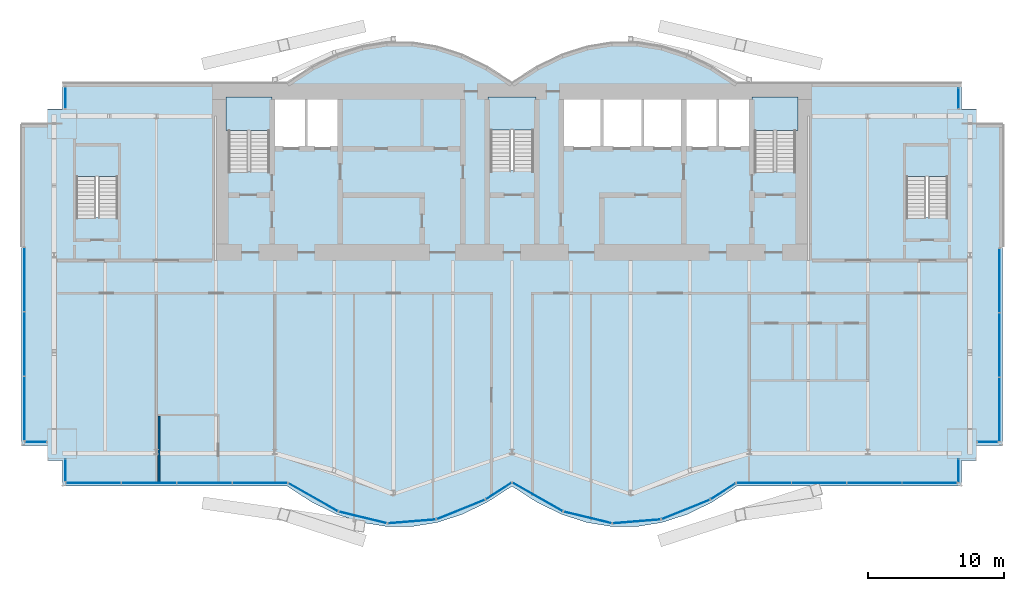
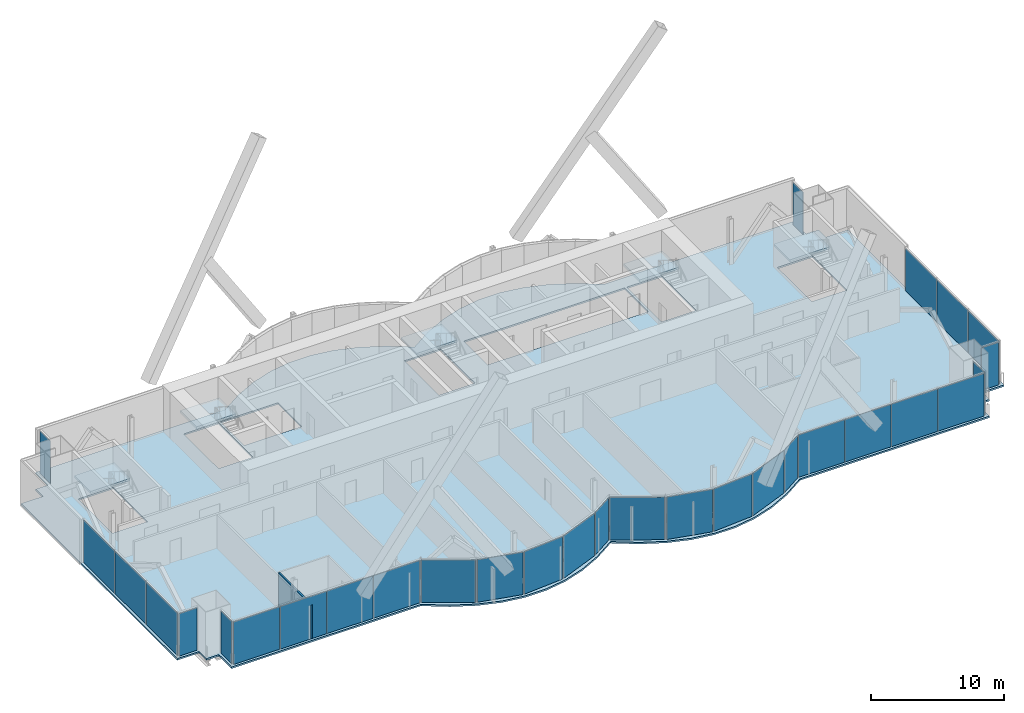
# One storey, part 15 of 22: 30 plates, 6 slabs, 1 wall, 17 elements without a shape of their own.
"""IFC4 building model written with IfcOpenShell, lengths in metres."""

from ifc_helpers import new_model, si_unit, direction, frame, frame_2d, origin, origin_2d, place, context, subcontext, project, spatial, polyline, rectangle, outline, extrude, material, layer, layer_set, type_object, element, aggregate, save


model = new_model("IFC4")

# Units and contexts
model_context = context("Model", 3, precision=1e-05, world=origin(), true_north=direction((0.0, 1.0)))
body_context = subcontext(model_context, "Body", "Model", "MODEL_VIEW")
ifc_project = project(units=[si_unit("LENGTHUNIT", "METRE"), si_unit("AREAUNIT", "SQUARE_METRE"), si_unit("VOLUMEUNIT", "CUBIC_METRE"), si_unit("PLANEANGLEUNIT", "RADIAN"), si_unit("MASSUNIT", "GRAM", prefix="KILO")], contexts=[model_context])

# Site, building, storey
site_placement = place(None, origin())
site = spatial("IfcSite", under=ifc_project, at=site_placement, CompositionType="ELEMENT")
building_placement = place(site_placement, origin())
building = spatial("IfcBuilding", under=site, at=building_placement, Name="Bicima Exchange Tower", CompositionType="ELEMENT")
storey_placement = place(building_placement, frame((0.0, 0.0, 254.0)))
storey = spatial("IfcBuildingStorey", under=building, at=storey_placement, Name="L57", CompositionType="ELEMENT", Elevation=254.0)

# Slab
ifc_material_1 = material(Name="Concrete C40/50", Category="concrete")
ifc_layer_1 = layer(ifc_material_1, 0.14990234375)
ifc_layer_set_1 = layer_set([ifc_layer_1], Name="Concrete C40/50")
slab_type_1 = type_object("IfcSlabType", Name="Composite floor slab 150", PredefinedType="FLOOR", material=ifc_layer_set_1)
slab_1_placement = place(storey_placement, frame((0.0, 0.0, -0.14990234375)))
element("IfcSlab", 1, at=slab_1_placement, inside=storey, type_object=slab_type_1, Name="Floor slab", PredefinedType="FLOOR", context=body_context, shape_type="SweptSolid", body=[
    extrude(outline(polyline([(-36.0, -26.555908203125), (-36.0, -3.0), (-34.10009765625, -3.0), (-34.10009765625, -1.89990234375), (-33.0, -1.89990234375), (-33.0, 0.0), (-16.5, 0.0), (-14.666748046875, 1.185302734375), (-12.833251953125, 2.07421875), (-11.0, 2.666748046875), (-9.166748046875, 2.962890625), (-7.333251953125, 2.962890625), (-5.5, 2.666748046875), (-3.666748046875, 2.07421875), (-1.833251953125, 1.185302734375), (0.0, 0.0), (1.833251953125, 1.185302734375), (3.666748046875, 2.07421875), (5.5, 2.666748046875), (7.333251953125, 2.962890625), (9.166748046875, 2.962890625), (11.0, 2.666748046875), (12.833251953125, 2.07421875), (14.666748046875, 1.185302734375), (16.5, 0.0), (33.0, 0.0), (33.0, -1.89990234375), (34.10009765625, -1.89990234375), (34.10009765625, -3.0), (36.0, -3.0), (36.0, -26.555908203125), (34.10009765625, -26.555908203125), (34.10009765625, -27.656005859375), (33.0, -27.656005859375), (33.0, -29.555908203125), (16.5, -29.555908203125), (14.666748046875, -30.7412109375), (12.833251953125, -31.630126953125), (11.0, -32.22265625), (9.166748046875, -32.51904296875), (7.333251953125, -32.51904296875), (5.5, -32.22265625), (3.666748046875, -31.630126953125), (1.833251953125, -30.7412109375), (0.0, -29.555908203125), (-1.833251953125, -30.7412109375), (-3.666748046875, -31.630126953125), (-5.5, -32.22265625), (-7.333251953125, -32.51904296875), (-9.166748046875, -32.51904296875), (-11.0, -32.22265625), (-12.833251953125, -31.630126953125), (-14.666748046875, -30.7412109375), (-16.5, -29.555908203125), (-33.0, -29.555908203125), (-33.0, -27.656005859375), (-34.10009765625, -27.656005859375), (-34.10009765625, -26.555908203125), (-36.0, -26.555908203125)]), holes=[polyline([(-28.925048828125, -9.824951171875), (-28.925048828125, -4.625), (-31.97509765625, -4.625), (-31.97509765625, -9.824951171875), (-28.925048828125, -9.824951171875)]), polyline([(-20.800048828125, -6.449951171875), (-17.800048828125, -6.449951171875), (-17.800048828125, -1.199951171875), (-20.800048828125, -1.199951171875), (-20.800048828125, -6.449951171875)]), polyline([(-1.574951171875, -6.39990234375), (1.574951171875, -6.39990234375), (1.574951171875, -1.199951171875), (-1.574951171875, -1.199951171875), (-1.574951171875, -6.39990234375)]), polyline([(-12.60009765625, -1.199951171875), (-15.10009765625, -1.199951171875), (-17.60009765625, -1.199951171875), (-17.60009765625, -4.800048828125), (-15.10009765625, -4.800048828125), (-12.60009765625, -4.800048828125), (-12.60009765625, -1.199951171875)]), polyline([(3.60009765625, -4.800048828125), (6.60009765625, -4.800048828125), (9.60009765625, -4.800048828125), (12.60009765625, -4.800048828125), (15.10009765625, -4.800048828125), (17.60009765625, -4.800048828125), (17.60009765625, -1.199951171875), (15.10009765625, -1.199951171875), (12.60009765625, -1.199951171875), (9.60009765625, -1.199951171875), (6.60009765625, -1.199951171875), (3.60009765625, -1.199951171875), (3.60009765625, -4.800048828125)]), polyline([(31.97509765625, -9.824951171875), (31.97509765625, -4.625), (28.925048828125, -4.625), (28.925048828125, -9.824951171875), (31.97509765625, -9.824951171875)]), polyline([(17.800048828125, -6.449951171875), (20.800048828125, -6.449951171875), (20.800048828125, -1.199951171875), (17.800048828125, -1.199951171875), (17.800048828125, -6.449951171875)])]), origin(), (0.0, 0.0, 1.0), 0.14990234375),
])

# Curtain wall, plates
ifc_material_2 = material(Name="Anodised bronze aluminium", Category="aluminium")
curtain_wall_type_1 = type_object("IfcCurtainWallType", Name="End face glass wall", PredefinedType="NOTDEFINED", material=ifc_material_2)
curtain_wall_1_placement = place(storey_placement, origin())
curtain_wall_1 = element("IfcCurtainWall", 2, at=curtain_wall_1_placement, inside=storey, type_object=curtain_wall_type_1, Name="End face glass wall L57 run 2", PredefinedType="NOTDEFINED")
ifc_material_3 = material(Name="Bronze tinted glass", Category="glass")
ifc_layer_2 = layer(ifc_material_3, 0.031982421875)
ifc_layer_set_2 = layer_set([ifc_layer_2], Name="Bronze tinted glass")
plate_type_1 = type_object("IfcPlateType", Name="End face glass wall glass panel 32", PredefinedType="CURTAIN_PANEL", material=ifc_layer_set_2)
plate_1_placement = place(storey_placement, frame((-35.77001953125, -14.394287109375, 0.0), z_axis=(0.0, 0.0, 1.0), x_axis=(0.0, -1.0, 0.0)))
plate_1 = element("IfcPlate", 3, at=plate_1_placement, type_object=plate_type_1, Name="End face glass wall panel 1.1", PredefinedType="CURTAIN_PANEL", context=body_context, shape_type="SweptSolid", body=[
    extrude(rectangle(XDim=4.668701171875, YDim=0.031982421875, at=origin_2d()), origin(), (0.0, 0.0, 1.0), 3.909912109375),
])
plate_2_placement = place(storey_placement, frame((-35.77001953125, -23.851806640625, 0.0), z_axis=(0.0, 0.0, 1.0), x_axis=(0.0, -1.0, 0.0)))
plate_2 = element("IfcPlate", 4, at=plate_2_placement, type_object=plate_type_1, Name="End face glass wall panel 3.1", PredefinedType="CURTAIN_PANEL", context=body_context, shape_type="SweptSolid", body=[
    extrude(rectangle(XDim=4.668701171875, YDim=0.031982421875, at=origin_2d()), origin(), (0.0, 0.0, 1.0), 3.909912109375),
])

curtain_wall_2_placement = place(storey_placement, origin())
curtain_wall_2 = element("IfcCurtainWall", 5, at=curtain_wall_2_placement, inside=storey, type_object=curtain_wall_type_1, Name="End face glass wall L57 run 19", PredefinedType="NOTDEFINED")
plate_3_placement = place(storey_placement, frame((35.77001953125, -23.931640625, 0.0), z_axis=(0.0, 0.0, 1.0), x_axis=(0.0, 1.0, 0.0)))
plate_3 = element("IfcPlate", 6, at=plate_3_placement, type_object=plate_type_1, Name="End face glass wall panel 1.1", PredefinedType="CURTAIN_PANEL", context=body_context, shape_type="SweptSolid", body=[
    extrude(rectangle(XDim=4.668701171875, YDim=0.031982421875, at=origin_2d()), origin(), (0.0, 0.0, 1.0), 3.909912109375),
])
plate_4_placement = place(storey_placement, frame((35.77001953125, -14.474365234375, 0.0), z_axis=(0.0, 0.0, 1.0), x_axis=(0.0, 1.0, 0.0)))
plate_4 = element("IfcPlate", 7, at=plate_4_placement, type_object=plate_type_1, Name="End face glass wall panel 3.1", PredefinedType="CURTAIN_PANEL", context=body_context, shape_type="SweptSolid", body=[
    extrude(rectangle(XDim=4.668701171875, YDim=0.031982421875, at=origin_2d()), origin(), (0.0, 0.0, 1.0), 3.909912109375),
])

# Plate
ifc_material_4 = material(Name="Bronze anodised aluminium", Category="aluminium")
ifc_layer_3 = layer(ifc_material_4, 0.031982421875)
ifc_layer_set_3 = layer_set([ifc_layer_3], Name="Bronze anodised aluminium")
plate_type_2 = type_object("IfcPlateType", Name="End face glass wall spandrel panel 32", PredefinedType="CURTAIN_PANEL", material=ifc_layer_set_3)
plate_5_placement = place(storey_placement, frame((-35.77001953125, -19.123046875, 0.0), z_axis=(0.0, 0.0, 1.0), x_axis=(0.0, -1.0, 0.0)))
plate_5 = element("IfcPlate", 8, at=plate_5_placement, type_object=plate_type_2, Name="End face spandrel wall panel 2.1", PredefinedType="CURTAIN_PANEL", context=body_context, shape_type="SweptSolid", body=[
    extrude(rectangle(XDim=4.668701171875, YDim=0.031982421875, at=origin_2d()), origin(), (0.0, 0.0, 1.0), 3.909912109375),
])

aggregate(curtain_wall_1, [plate_1, plate_5, plate_2])

plate_6_placement = place(storey_placement, frame((35.77001953125, -19.202880859375, 0.0), z_axis=(0.0, 0.0, 1.0), x_axis=(0.0, 1.0, 0.0)))
plate_6 = element("IfcPlate", 9, at=plate_6_placement, type_object=plate_type_2, Name="End face spandrel wall panel 2.1", PredefinedType="CURTAIN_PANEL", context=body_context, shape_type="SweptSolid", body=[
    extrude(rectangle(XDim=4.668701171875, YDim=0.031982421875, at=origin_2d()), origin(), (0.0, 0.0, 1.0), 3.909912109375),
])

aggregate(curtain_wall_2, [plate_3, plate_6, plate_4])

# Curtain wall, plate
curtain_wall_type_2 = type_object("IfcCurtainWallType", Name="Front glass wall", PredefinedType="NOTDEFINED", material=ifc_material_2)
curtain_wall_3_placement = place(storey_placement, origin())
curtain_wall_3 = element("IfcCurtainWall", 10, at=curtain_wall_3_placement, inside=storey, type_object=curtain_wall_type_2, Name="Front glass wall L57 run 1", PredefinedType="NOTDEFINED")
ifc_layer_4 = layer(ifc_material_3, 0.031982421875)
ifc_layer_set_4 = layer_set([ifc_layer_4], Name="Bronze tinted glass")
plate_type_3 = type_object("IfcPlateType", Name="Front glass wall glass panel 32", PredefinedType="CURTAIN_PANEL", material=ifc_layer_set_4)
plate_7_placement = place(storey_placement, frame((-32.77001953125, -1.06494140625, 0.0), z_axis=(0.0, 0.0, 1.0), x_axis=(0.0, -1.0, 0.0)))
plate_7 = element("IfcPlate", 11, at=plate_7_placement, type_object=plate_type_3, Name="Front glass wall panel 1.1", PredefinedType="CURTAIN_PANEL", context=body_context, shape_type="SweptSolid", body=[
    extrude(rectangle(XDim=1.550048828125, YDim=0.031982421875, at=origin_2d()), origin(), (0.0, 0.0, 1.0), 3.909912109375),
])
aggregate(curtain_wall_3, [plate_7])

curtain_wall_4_placement = place(storey_placement, origin())
curtain_wall_4 = element("IfcCurtainWall", 12, at=curtain_wall_4_placement, inside=storey, type_object=curtain_wall_type_2, Name="Front glass wall L57 run 3", PredefinedType="NOTDEFINED")
plate_8_placement = place(storey_placement, frame((-34.93505859375, -26.325927734375, 0.0), z_axis=(0.0, 0.0, 1.0), x_axis=(1.0, 0.0, 0.0)))
plate_8 = element("IfcPlate", 13, at=plate_8_placement, type_object=plate_type_3, Name="Front glass wall panel 1.1", PredefinedType="CURTAIN_PANEL", context=body_context, shape_type="SweptSolid", body=[
    extrude(rectangle(XDim=1.550048828125, YDim=0.031982421875, at=origin_2d()), origin(), (0.0, 0.0, 1.0), 3.909912109375),
])
aggregate(curtain_wall_4, [plate_8])

curtain_wall_5_placement = place(storey_placement, origin())
curtain_wall_5 = element("IfcCurtainWall", 14, at=curtain_wall_5_placement, inside=storey, type_object=curtain_wall_type_2, Name="Front glass wall L57 run 4", PredefinedType="NOTDEFINED")
plate_9_placement = place(storey_placement, frame((-32.77001953125, -28.389892578125, 0.0), z_axis=(0.0, 0.0, 1.0), x_axis=(0.0, -1.0, 0.0)))
plate_9 = element("IfcPlate", 15, at=plate_9_placement, type_object=plate_type_3, Name="Front glass wall panel 1.1", PredefinedType="CURTAIN_PANEL", context=body_context, shape_type="SweptSolid", body=[
    extrude(rectangle(XDim=1.592041015625, YDim=0.031982421875, at=origin_2d()), origin(), (0.0, 0.0, 1.0), 3.909912109375),
])
aggregate(curtain_wall_5, [plate_9])

# Curtain wall, plates
curtain_wall_6_placement = place(storey_placement, origin())
curtain_wall_6 = element("IfcCurtainWall", 16, at=curtain_wall_6_placement, inside=storey, type_object=curtain_wall_type_2, Name="Front glass wall L57 run 5", PredefinedType="NOTDEFINED")
plate_10_placement = place(storey_placement, frame((-30.705322265625, -29.325927734375, 0.0), z_axis=(0.0, 0.0, 1.0), x_axis=(1.0, 0.0, 0.0)))
plate_10 = element("IfcPlate", 17, at=plate_10_placement, type_object=plate_type_3, Name="Front glass wall panel 1.1", PredefinedType="CURTAIN_PANEL", context=body_context, shape_type="SweptSolid", body=[
    extrude(rectangle(XDim=4.009521484375, YDim=0.031982421875, at=origin_2d()), origin(), (0.0, 0.0, 1.0), 3.909912109375),
])
plate_11_placement = place(storey_placement, frame((-18.496826171875, -29.325927734375, 0.0), z_axis=(0.0, 0.0, 1.0), x_axis=(1.0, 0.0, 0.0)))
plate_11 = element("IfcPlate", 18, at=plate_11_placement, type_object=plate_type_3, Name="Front glass wall panel 4.1", PredefinedType="CURTAIN_PANEL", context=body_context, shape_type="SweptSolid", body=[
    extrude(rectangle(XDim=4.009521484375, YDim=0.031982421875, at=origin_2d()), origin(), (0.0, 0.0, 1.0), 3.909912109375),
])

curtain_wall_7_placement = place(storey_placement, origin())
curtain_wall_7 = element("IfcCurtainWall", 19, at=curtain_wall_7_placement, inside=storey, type_object=curtain_wall_type_2, Name="Front glass wall L57 run 6", PredefinedType="NOTDEFINED")
plate_12_placement = place(storey_placement, frame((-14.589599609375, -30.37109375, 0.0), z_axis=(0.0, 0.0, 1.0), x_axis=(0.869805110681, -0.493395449343, 0.0)))
plate_12 = element("IfcPlate", 20, at=plate_12_placement, type_object=plate_type_3, Name="Front glass wall panel 1.1", PredefinedType="CURTAIN_PANEL", context=body_context, shape_type="SweptSolid", body=[
    extrude(rectangle(XDim=4.1162109375, YDim=0.031982421875, at=origin_2d()), origin(), (0.0, 0.0, 1.0), 3.909912109375),
])
plate_13_placement = place(storey_placement, frame((-3.750244140625, -31.269287109375, 0.0), z_axis=(0.0, 0.0, 1.0), x_axis=(0.92714396679, 0.374705304, 0.0)))
plate_13 = element("IfcPlate", 21, at=plate_13_placement, type_object=plate_type_3, Name="Front glass wall panel 1.1", PredefinedType="CURTAIN_PANEL", context=body_context, shape_type="SweptSolid", body=[
    extrude(rectangle(XDim=3.771240234375, YDim=0.031982421875, at=origin_2d()), origin(), (0.0, 0.0, 1.0), 3.909912109375),
])
plate_14_placement = place(storey_placement, frame((-0.97314453125, -29.9111328125, 0.0), z_axis=(0.0, 0.0, 1.0), x_axis=(0.839798994301, 0.542897457326, 0.0)))
plate_14 = element("IfcPlate", 22, at=plate_14_placement, type_object=plate_type_3, Name="Front glass wall panel 1.1", PredefinedType="CURTAIN_PANEL", context=body_context, shape_type="SweptSolid", body=[
    extrude(rectangle(XDim=2.197509765625, YDim=0.031982421875, at=origin_2d()), origin(), (0.0, 0.0, 1.0), 3.909912109375),
])

curtain_wall_8_placement = place(storey_placement, origin())
curtain_wall_8 = element("IfcCurtainWall", 23, at=curtain_wall_8_placement, inside=storey, type_object=curtain_wall_type_2, Name="Front glass wall L57 run 11", PredefinedType="NOTDEFINED")
plate_15_placement = place(storey_placement, frame((1.876220703125, -30.34912109375, 0.0), z_axis=(0.0, 0.0, 1.0), x_axis=(0.869274147378, -0.494330311331, 0.0)))
plate_15 = element("IfcPlate", 24, at=plate_15_placement, type_object=plate_type_3, Name="Front glass wall panel 1.1", PredefinedType="CURTAIN_PANEL", context=body_context, shape_type="SweptSolid", body=[
    extrude(rectangle(XDim=4.197021484375, YDim=0.031982421875, at=origin_2d()), origin(), (0.0, 0.0, 1.0), 3.909912109375),
])
plate_16_placement = place(storey_placement, frame((5.55224609375, -31.8525390625, 0.0), z_axis=(0.0, 0.0, 1.0), x_axis=(0.971830343553, -0.235681529503, 0.0)))
plate_16 = element("IfcPlate", 25, at=plate_16_placement, type_object=plate_type_3, Name="Front glass wall panel 1.1", PredefinedType="CURTAIN_PANEL", context=body_context, shape_type="SweptSolid", body=[
    extrude(rectangle(XDim=3.583251953125, YDim=0.031982421875, at=origin_2d()), origin(), (0.0, 0.0, 1.0), 3.909912109375),
])
plate_17_placement = place(storey_placement, frame((12.749755859375, -31.269287109375, 0.0), z_axis=(0.0, 0.0, 1.0), x_axis=(0.92714396679, 0.374705304, 0.0)))
plate_17 = element("IfcPlate", 26, at=plate_17_placement, type_object=plate_type_3, Name="Front glass wall panel 1.1", PredefinedType="CURTAIN_PANEL", context=body_context, shape_type="SweptSolid", body=[
    extrude(rectangle(XDim=3.771240234375, YDim=0.031982421875, at=origin_2d()), origin(), (0.0, 0.0, 1.0), 3.909912109375),
])
plate_18_placement = place(storey_placement, frame((15.492919921875, -29.93310546875, 0.0), z_axis=(0.0, 0.0, 1.0), x_axis=(0.839791413941, 0.542909183079, 0.0)))
plate_18 = element("IfcPlate", 27, at=plate_18_placement, type_object=plate_type_3, Name="Front glass wall panel 1.1", PredefinedType="CURTAIN_PANEL", context=body_context, shape_type="SweptSolid", body=[
    extrude(rectangle(XDim=2.11669921875, YDim=0.031982421875, at=origin_2d()), origin(), (0.0, 0.0, 1.0), 3.909912109375),
])

curtain_wall_9_placement = place(storey_placement, origin())
curtain_wall_9 = element("IfcCurtainWall", 28, at=curtain_wall_9_placement, inside=storey, type_object=curtain_wall_type_2, Name="Front glass wall L57 run 16", PredefinedType="NOTDEFINED")
plate_19_placement = place(storey_placement, frame((18.48681640625, -29.325927734375, 0.0), z_axis=(0.0, 0.0, 1.0), x_axis=(1.0, 0.0, 0.0)))
plate_19 = element("IfcPlate", 29, at=plate_19_placement, type_object=plate_type_3, Name="Front glass wall panel 1.1", PredefinedType="CURTAIN_PANEL", context=body_context, shape_type="SweptSolid", body=[
    extrude(rectangle(XDim=3.989501953125, YDim=0.031982421875, at=origin_2d()), origin(), (0.0, 0.0, 1.0), 3.909912109375),
])
plate_20_placement = place(storey_placement, frame((30.63525390625, -29.325927734375, 0.0), z_axis=(0.0, 0.0, 1.0), x_axis=(1.0, 0.0, 0.0)))
plate_20 = element("IfcPlate", 30, at=plate_20_placement, type_object=plate_type_3, Name="Front glass wall panel 4.1", PredefinedType="CURTAIN_PANEL", context=body_context, shape_type="SweptSolid", body=[
    extrude(rectangle(XDim=3.989501953125, YDim=0.031982421875, at=origin_2d()), origin(), (0.0, 0.0, 1.0), 3.909912109375),
])

# Curtain wall, plate
curtain_wall_10_placement = place(storey_placement, origin())
curtain_wall_10 = element("IfcCurtainWall", 31, at=curtain_wall_10_placement, inside=storey, type_object=curtain_wall_type_2, Name="Front glass wall L57 run 17", PredefinedType="NOTDEFINED")
plate_21_placement = place(storey_placement, frame((32.77001953125, -28.429931640625, 0.0), z_axis=(0.0, 0.0, 1.0), x_axis=(0.0, 1.0, 0.0)))
plate_21 = element("IfcPlate", 32, at=plate_21_placement, type_object=plate_type_3, Name="Front glass wall panel 1.1", PredefinedType="CURTAIN_PANEL", context=body_context, shape_type="SweptSolid", body=[
    extrude(rectangle(XDim=1.672119140625, YDim=0.031982421875, at=origin_2d()), origin(), (0.0, 0.0, 1.0), 3.909912109375),
])
aggregate(curtain_wall_10, [plate_21])

curtain_wall_11_placement = place(storey_placement, origin())
curtain_wall_11 = element("IfcCurtainWall", 33, at=curtain_wall_11_placement, inside=storey, type_object=curtain_wall_type_2, Name="Front glass wall L57 run 18", PredefinedType="NOTDEFINED")
plate_22_placement = place(storey_placement, frame((34.89501953125, -26.325927734375, 0.0), z_axis=(0.0, 0.0, 1.0), x_axis=(1.0, 0.0, 0.0)))
plate_22 = element("IfcPlate", 34, at=plate_22_placement, type_object=plate_type_3, Name="Front glass wall panel 1.1", PredefinedType="CURTAIN_PANEL", context=body_context, shape_type="SweptSolid", body=[
    extrude(rectangle(XDim=1.469970703125, YDim=0.031982421875, at=origin_2d()), origin(), (0.0, 0.0, 1.0), 3.909912109375),
])
aggregate(curtain_wall_11, [plate_22])

curtain_wall_12_placement = place(storey_placement, origin())
curtain_wall_12 = element("IfcCurtainWall", 35, at=curtain_wall_12_placement, inside=storey, type_object=curtain_wall_type_2, Name="Front glass wall L57 run 20", PredefinedType="NOTDEFINED")
plate_23_placement = place(storey_placement, frame((32.77001953125, -1.10498046875, 0.0), z_axis=(0.0, 0.0, 1.0), x_axis=(0.0, 1.0, 0.0)))
plate_23 = element("IfcPlate", 36, at=plate_23_placement, type_object=plate_type_3, Name="Front glass wall panel 1.1", PredefinedType="CURTAIN_PANEL", context=body_context, shape_type="SweptSolid", body=[
    extrude(rectangle(XDim=1.469970703125, YDim=0.031982421875, at=origin_2d()), origin(), (0.0, 0.0, 1.0), 3.909912109375),
])
aggregate(curtain_wall_12, [plate_23])

# Plate
ifc_layer_5 = layer(ifc_material_4, 0.031982421875)
ifc_layer_set_5 = layer_set([ifc_layer_5], Name="Bronze anodised aluminium")
plate_type_4 = type_object("IfcPlateType", Name="Front glass wall spandrel panel 32", PredefinedType="CURTAIN_PANEL", material=ifc_layer_set_5)
plate_24_placement = place(storey_placement, frame((-26.6357421875, -29.325927734375, 0.0), z_axis=(0.0, 0.0, 1.0), x_axis=(1.0, 0.0, 0.0)))
plate_24 = element("IfcPlate", 37, at=plate_24_placement, type_object=plate_type_4, Name="Front spandrel wall panel 2.1", PredefinedType="CURTAIN_PANEL", context=body_context, shape_type="SweptSolid", body=[
    extrude(rectangle(XDim=4.009521484375, YDim=0.031982421875, at=origin_2d()), origin(), (0.0, 0.0, 1.0), 3.909912109375),
])

plate_25_placement = place(storey_placement, frame((-22.56640625, -29.325927734375, 0.0), z_axis=(0.0, 0.0, 1.0), x_axis=(1.0, 0.0, 0.0)))
plate_25 = element("IfcPlate", 38, at=plate_25_placement, type_object=plate_type_4, Name="Front spandrel wall panel 3.1", PredefinedType="CURTAIN_PANEL", context=body_context, shape_type="SweptSolid", body=[
    extrude(rectangle(XDim=4.009521484375, YDim=0.031982421875, at=origin_2d()), origin(), (0.0, 0.0, 1.0), 3.909912109375),
])

aggregate(curtain_wall_6, [plate_10, plate_24, plate_25, plate_11])

plate_26_placement = place(storey_placement, frame((-10.94775390625, -31.8525390625, 0.0), z_axis=(0.0, 0.0, 1.0), x_axis=(0.971830343553, -0.235681529503, 0.0)))
plate_26 = element("IfcPlate", 39, at=plate_26_placement, type_object=plate_type_4, Name="Front spandrel wall panel 1.1", PredefinedType="CURTAIN_PANEL", context=body_context, shape_type="SweptSolid", body=[
    extrude(rectangle(XDim=3.583251953125, YDim=0.031982421875, at=origin_2d()), origin(), (0.0, 0.0, 1.0), 3.909912109375),
])

plate_27_placement = place(storey_placement, frame((-7.35107421875, -32.143798828125, 0.0), z_axis=(0.0, 0.0, 1.0), x_axis=(0.99674744821, 0.080588612633, 0.0)))
plate_27 = element("IfcPlate", 40, at=plate_27_placement, type_object=plate_type_4, Name="Front spandrel wall panel 1.1", PredefinedType="CURTAIN_PANEL", context=body_context, shape_type="SweptSolid", body=[
    extrude(rectangle(XDim=3.486083984375, YDim=0.031982421875, at=origin_2d()), origin(), (0.0, 0.0, 1.0), 3.909912109375),
])

aggregate(curtain_wall_7, [plate_12, plate_26, plate_27, plate_13, plate_14])

plate_28_placement = place(storey_placement, frame((9.14892578125, -32.143798828125, 0.0), z_axis=(0.0, 0.0, 1.0), x_axis=(0.99674744821, 0.080588612633, 0.0)))
plate_28 = element("IfcPlate", 41, at=plate_28_placement, type_object=plate_type_4, Name="Front spandrel wall panel 1.1", PredefinedType="CURTAIN_PANEL", context=body_context, shape_type="SweptSolid", body=[
    extrude(rectangle(XDim=3.486083984375, YDim=0.031982421875, at=origin_2d()), origin(), (0.0, 0.0, 1.0), 3.909912109375),
])

aggregate(curtain_wall_8, [plate_15, plate_16, plate_28, plate_17, plate_18])

plate_29_placement = place(storey_placement, frame((22.536376953125, -29.325927734375, 0.0), z_axis=(0.0, 0.0, 1.0), x_axis=(1.0, 0.0, 0.0)))
plate_29 = element("IfcPlate", 42, at=plate_29_placement, type_object=plate_type_4, Name="Front spandrel wall panel 2.1", PredefinedType="CURTAIN_PANEL", context=body_context, shape_type="SweptSolid", body=[
    extrude(rectangle(XDim=3.989501953125, YDim=0.031982421875, at=origin_2d()), origin(), (0.0, 0.0, 1.0), 3.909912109375),
])

plate_30_placement = place(storey_placement, frame((26.585693359375, -29.325927734375, 0.0), z_axis=(0.0, 0.0, 1.0), x_axis=(1.0, 0.0, 0.0)))
plate_30 = element("IfcPlate", 43, at=plate_30_placement, type_object=plate_type_4, Name="Front spandrel wall panel 3.1", PredefinedType="CURTAIN_PANEL", context=body_context, shape_type="SweptSolid", body=[
    extrude(rectangle(XDim=3.989501953125, YDim=0.031982421875, at=origin_2d()), origin(), (0.0, 0.0, 1.0), 3.909912109375),
])

aggregate(curtain_wall_9, [plate_19, plate_29, plate_30, plate_20])

# Stair, slab
ifc_material_5 = material(Name="Concrete C50/60", Category="concrete")
stair_type_1 = type_object("IfcStairType", Name="Exit stair", PredefinedType="HALF_TURN_STAIR", material=ifc_material_5)
stair_1_placement = place(storey_placement, origin())
stair_1 = element("IfcStair", 44, at=stair_1_placement, inside=storey, type_object=stair_type_1, Name="L57 West exit stair", PredefinedType="HALF_TURN_STAIR")
ifc_layer_6 = layer(ifc_material_5, 0.199951171875)
ifc_layer_set_6 = layer_set([ifc_layer_6], Name="Concrete C50/60")
slab_type_2 = type_object("IfcSlabType", Name="Stair landing slab", PredefinedType="LANDING", material=ifc_layer_set_6)
slab_2_placement = place(storey_placement, frame((0.0, 0.0, 1.89990234375)))
slab_2 = element("IfcSlab", 45, at=slab_2_placement, type_object=slab_type_2, Name="ST-W landing 1", PredefinedType="LANDING", context=body_context, shape_type="SweptSolid", body=[
    extrude(outline(polyline([(-17.60009765625, -3.469970703125), (-17.60009765625, -1.0), (-21.0, -1.0), (-21.0, -3.469970703125), (-17.60009765625, -3.469970703125)])), origin(), (0.0, 0.0, 1.0), 0.2001953125),
])
aggregate(stair_1, [slab_2])

stair_type_2 = type_object("IfcStairType", Name="Exit stair 1500", PredefinedType="HALF_TURN_STAIR", material=ifc_material_5)
stair_2_placement = place(storey_placement, origin())
stair_2 = element("IfcStair", 46, at=stair_2_placement, inside=storey, type_object=stair_type_2, Name="L57 Central exit stair", PredefinedType="HALF_TURN_STAIR")
slab_3_placement = place(storey_placement, frame((0.0, 0.0, 1.89990234375)))
slab_3 = element("IfcSlab", 47, at=slab_3_placement, type_object=slab_type_2, Name="ST-C landing 1", PredefinedType="LANDING", context=body_context, shape_type="SweptSolid", body=[
    extrude(outline(polyline([(1.77490234375, -3.419921875), (1.77490234375, -1.0), (-1.77490234375, -1.0), (-1.77490234375, -3.419921875), (1.77490234375, -3.419921875)])), origin(), (0.0, 0.0, 1.0), 0.2001953125),
])
aggregate(stair_2, [slab_3])

stair_3_placement = place(storey_placement, origin())
stair_3 = element("IfcStair", 48, at=stair_3_placement, inside=storey, type_object=stair_type_1, Name="L57 East exit stair", PredefinedType="HALF_TURN_STAIR")
slab_4_placement = place(storey_placement, frame((0.0, 0.0, 1.89990234375)))
slab_4 = element("IfcSlab", 49, at=slab_4_placement, type_object=slab_type_2, Name="ST-E landing 1", PredefinedType="LANDING", context=body_context, shape_type="SweptSolid", body=[
    extrude(outline(polyline([(21.0, -3.469970703125), (21.0, -1.0), (17.60009765625, -1.0), (17.60009765625, -3.469970703125), (21.0, -3.469970703125)])), origin(), (0.0, 0.0, 1.0), 0.2001953125),
])
aggregate(stair_3, [slab_4])

stair_4_placement = place(storey_placement, origin())
stair_4 = element("IfcStair", 50, at=stair_4_placement, inside=storey, type_object=stair_type_1, Name="L57 West end exit stair", PredefinedType="HALF_TURN_STAIR")
slab_5_placement = place(storey_placement, frame((0.0, 0.0, 1.89990234375)))
slab_5 = element("IfcSlab", 51, at=slab_5_placement, type_object=slab_type_2, Name="ST-WW landing 1", PredefinedType="LANDING", context=body_context, shape_type="SweptSolid", body=[
    extrude(outline(polyline([(-28.72509765625, -6.844970703125), (-28.72509765625, -4.425048828125), (-32.175048828125, -4.425048828125), (-32.175048828125, -6.844970703125), (-28.72509765625, -6.844970703125)])), origin(), (0.0, 0.0, 1.0), 0.2001953125),
])
aggregate(stair_4, [slab_5])

stair_5_placement = place(storey_placement, origin())
stair_5 = element("IfcStair", 52, at=stair_5_placement, inside=storey, type_object=stair_type_1, Name="L57 East end exit stair", PredefinedType="HALF_TURN_STAIR")
slab_6_placement = place(storey_placement, frame((0.0, 0.0, 1.89990234375)))
slab_6 = element("IfcSlab", 53, at=slab_6_placement, type_object=slab_type_2, Name="ST-EE landing 1", PredefinedType="LANDING", context=body_context, shape_type="SweptSolid", body=[
    extrude(outline(polyline([(32.175048828125, -6.844970703125), (32.175048828125, -4.425048828125), (28.72509765625, -4.425048828125), (28.72509765625, -6.844970703125), (32.175048828125, -6.844970703125)])), origin(), (0.0, 0.0, 1.0), 0.2001953125),
])
aggregate(stair_5, [slab_6])

# Wall
ifc_material_6 = material(Name="Gypsum board partition")
ifc_layer_7 = layer(ifc_material_6, 0.14990234375)
ifc_layer_set_7 = layer_set([ifc_layer_7], Name="Gypsum board partition")
wall_type = type_object("IfcWallType", Name="Gypsum partition 150", PredefinedType="PARTITIONING", material=ifc_layer_set_7)
wall_placement = place(storey_placement, frame((-25.89990234375, -29.35009765625, 0.0), z_axis=(0.0, 0.0, 1.0), x_axis=(0.0, 1.0, 0.0)))
element("IfcWall", 54, at=wall_placement, inside=storey, type_object=wall_type, Name="partition wall 15", PredefinedType="PARTITIONING", context=body_context, shape_type="SweptSolid", body=[
    extrude(rectangle(XDim=4.925048828125, YDim=0.14990234375, at=frame_2d((2.46240234375, 0.0))), origin(), (0.0, 0.0, 1.0), 3.1181640625),
])

save(model, "model.ifc")
